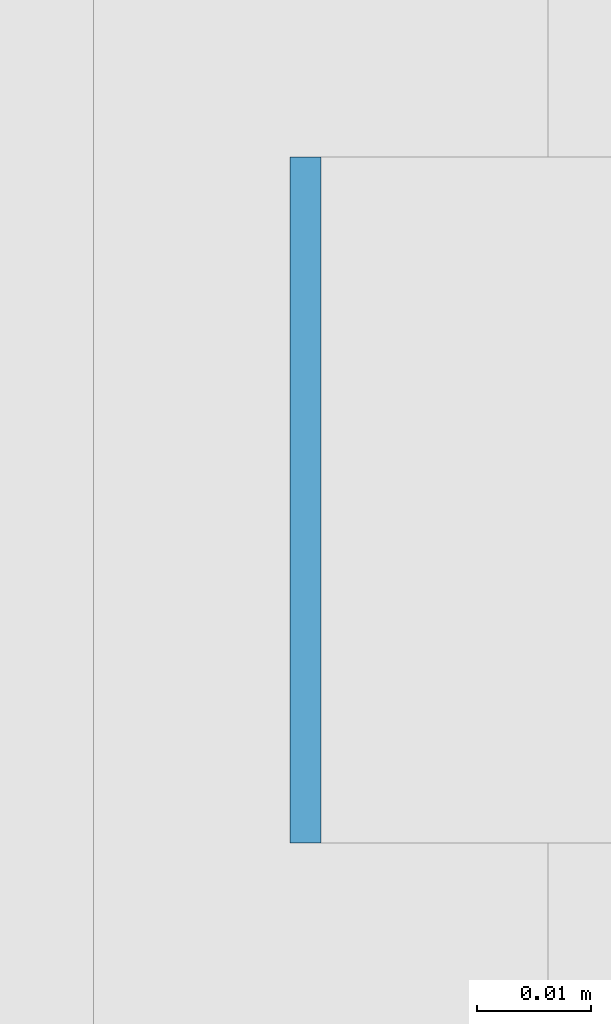
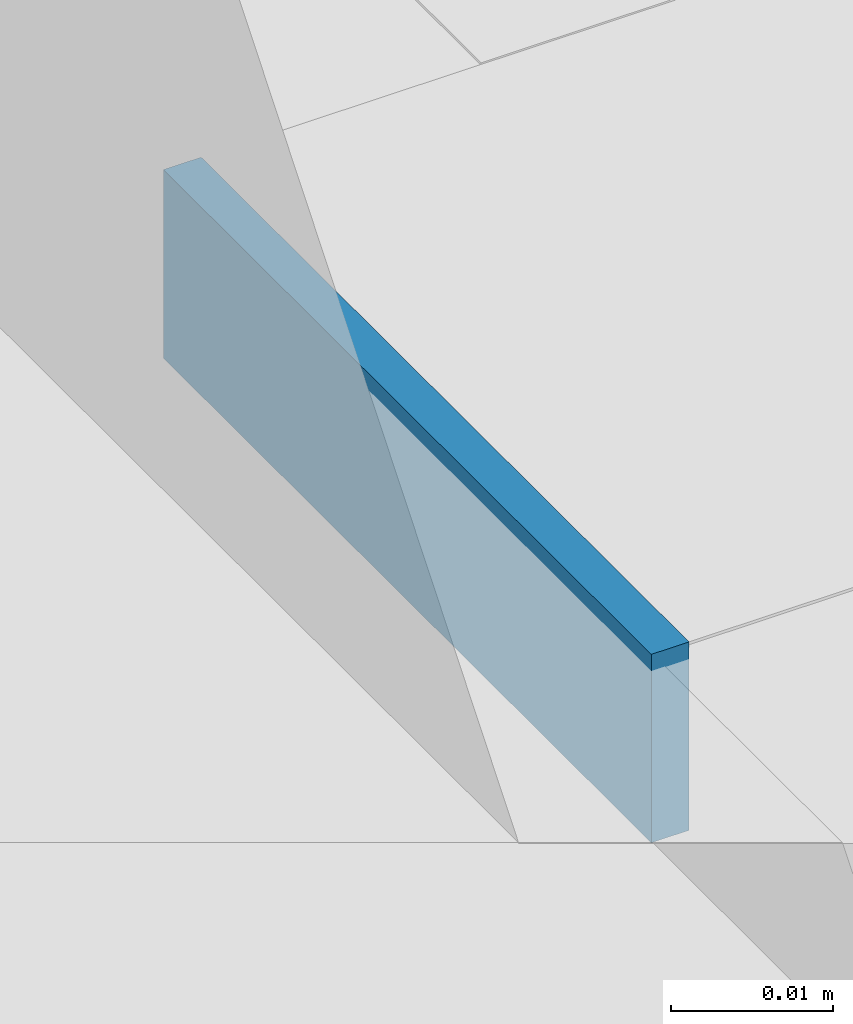
# One storey, part 503 of 646: 1 discrete accessory.
"""IFC4 building model written with IfcOpenShell, lengths in metres."""

from ifc_helpers import new_model, si_unit, direction, frame, origin, origin_2d, place, context, subcontext, project, spatial, rectangle, extrude, material, type_object, element, save


model = new_model("IFC4")

# Units and contexts
model_context = context("Model", 3, precision=1e-05, world=origin(), true_north=direction((0.0, 1.0)))
body_context = subcontext(model_context, "Body", "Model", "MODEL_VIEW")
ifc_project = project(units=[si_unit("LENGTHUNIT", "METRE"), si_unit("AREAUNIT", "SQUARE_METRE"), si_unit("VOLUMEUNIT", "CUBIC_METRE"), si_unit("PLANEANGLEUNIT", "RADIAN"), si_unit("MASSUNIT", "GRAM", prefix="KILO")], contexts=[model_context])

# Site, building, storey
site_placement = place(None, origin())
site = spatial("IfcSite", under=ifc_project, at=site_placement, CompositionType="ELEMENT")
building_placement = place(site_placement, origin())
building = spatial("IfcBuilding", under=site, at=building_placement, Name="Silverbay Arena", CompositionType="ELEMENT")
storey_placement = place(building_placement, frame((0.0, 0.0, 33.5)))
storey = spatial("IfcBuildingStorey", under=building, at=storey_placement, Name="L05", CompositionType="ELEMENT", Elevation=33.5)

# Discrete accessory
ifc_material = material(Name="Steel S355", Category="steel")
discrete_accessory_type = type_object("IfcDiscreteAccessoryType", Name="Steel bracket plate", PredefinedType="BRACKET", material=ifc_material)
discrete_accessory_placement = place(storey_placement, frame((207.128662109375, 69.428466796875, 12.98583984375), z_axis=(0.0, 0.0, 1.0), x_axis=(1.0, 0.0, 0.0)))
element("IfcDiscreteAccessory", 1, at=discrete_accessory_placement, inside=storey, type_object=discrete_accessory_type, Name="Curtain wall packing plate", PredefinedType="BRACKET", context=body_context, shape_type="SweptSolid", body=[
    extrude(rectangle(XDim=0.002685546875, YDim=0.06005859375, at=origin_2d()), origin(), (0.0, 0.0, 1.0), 0.01416015625),
])

save(model, "model.ifc")
